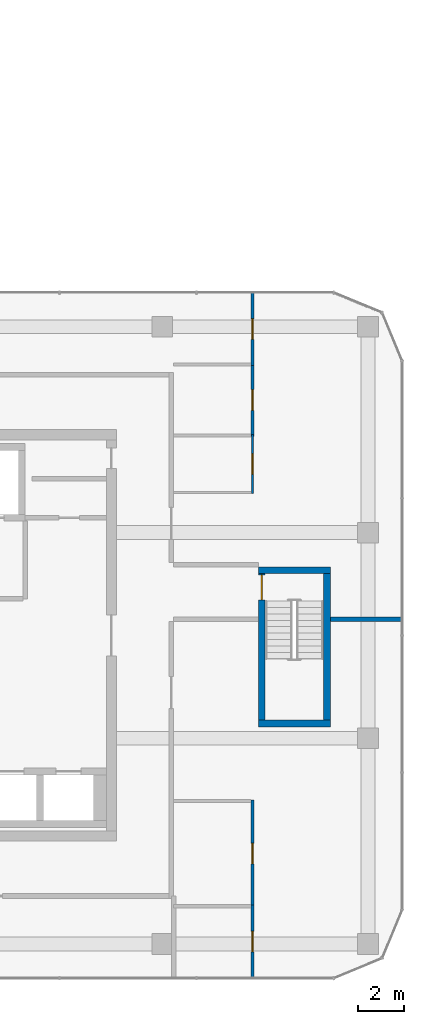
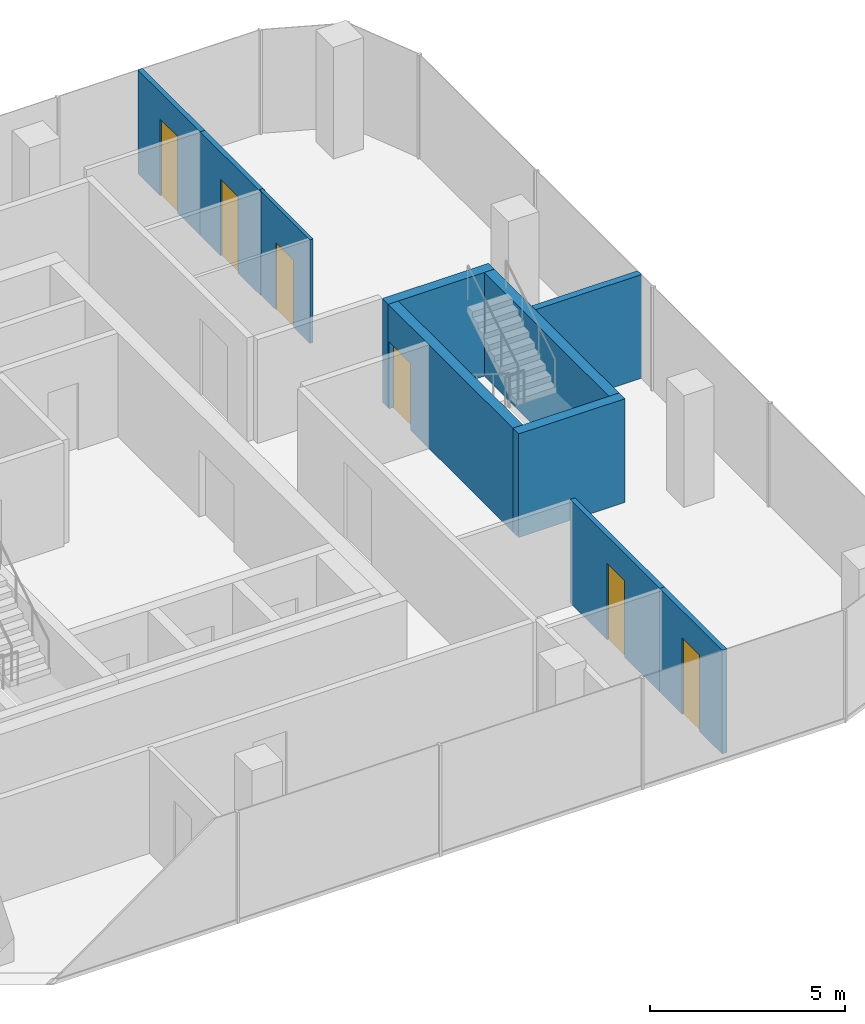
# One storey, part 19 of 23: 10 walls, 6 doors, 6 openings.
"""IFC4 building model written with IfcOpenShell, lengths in metres."""

from ifc_helpers import new_model, si_unit, direction, frame, frame_2d, origin, place, context, subcontext, project, spatial, rectangle, extrude, material, layer, layer_set, type_object, element, fill, save


model = new_model("IFC4")

# Units and contexts
model_context = context("Model", 3, precision=1e-05, world=origin(), true_north=direction((0.0, 1.0)))
body_context = subcontext(model_context, "Body", "Model", "MODEL_VIEW")
ifc_project = project(units=[si_unit("LENGTHUNIT", "METRE"), si_unit("AREAUNIT", "SQUARE_METRE"), si_unit("VOLUMEUNIT", "CUBIC_METRE"), si_unit("PLANEANGLEUNIT", "RADIAN"), si_unit("MASSUNIT", "GRAM", prefix="KILO")], contexts=[model_context])

# Site, building, storey
site_placement = place(None, origin())
site = spatial("IfcSite", under=ifc_project, at=site_placement, CompositionType="ELEMENT")
building_placement = place(site_placement, origin())
building = spatial("IfcBuilding", under=site, at=building_placement, Name="Plateau Cross Towers", CompositionType="ELEMENT")
storey_placement = place(building_placement, frame((0.0, 0.0, 88.800048828125)))
storey = spatial("IfcBuildingStorey", under=building, at=storey_placement, Name="L22", CompositionType="ELEMENT", Elevation=88.800048828125)

# Wall, opening, door
ifc_material_1 = material(Name="Concrete C60/75", Category="concrete")
ifc_layer_1 = layer(ifc_material_1, 0.300048828125)
ifc_layer_set_1 = layer_set([ifc_layer_1], Name="Concrete C60/75")
wall_type_1 = type_object("IfcWallType", Name="Core shaft wall 300", PredefinedType="SHEAR", material=ifc_layer_set_1)
wall_1_placement = place(storey_placement, frame((95.85009765625, 5.300048828125, 0.0), z_axis=(0.0, 0.0, 1.0), x_axis=(0.0, 1.0, 0.0)))
wall_1 = element("IfcWall", 1, at=wall_1_placement, inside=storey, type_object=wall_type_1, Name="B-sb3-W@L22", PredefinedType="SHEAR", context=body_context, shape_type="SweptSolid", body=[
    extrude(rectangle(XDim=6.39990234375, YDim=0.300048828125, at=frame_2d((3.199951171875, 0.0))), origin(), (0.0, 0.0, 1.0), 3.25),
])
opening_1_placement = place(wall_1_placement, frame((5.25, 0.0, 0.0)))
opening_1 = element("IfcOpeningElement", 2, at=opening_1_placement, cuts=wall_1, Name="Opening SD", PredefinedType="OPENING", context=body_context, shape_type="SweptSolid", body=[
    extrude(rectangle(XDim=1.10009765625, YDim=2.10009765625, at=frame_2d((0.550048828125, 1.050048828125))), frame((0.0, 0.159912109375, 0.0), z_axis=(0.0, -1.0, 0.0), x_axis=(1.0, 0.0, 0.0)), (0.0, 0.0, 1.0), 0.320068359375),
])
ifc_material_2 = material(Name="Steel, fire-resisting leaf", Category="steel")
door_type_1 = type_object("IfcDoorType", Name="Stair door 1100", OperationType="NOTDEFINED", PredefinedType="DOOR", material=ifc_material_2)
door_1_placement = place(opening_1_placement, origin())
door_1 = element("IfcDoor", 3, at=door_1_placement, inside=storey, type_object=door_type_1, Name="Stair door SD", OperationType="SINGLE_SWING_LEFT", OverallHeight=2.10009765625, OverallWidth=1.10009765625, PredefinedType="DOOR", context=body_context, shape_type="SweptSolid", body=[
    extrude(rectangle(XDim=1.10009765625, YDim=2.10009765625, at=frame_2d((0.550048828125, 1.050048828125))), frame((0.0, 0.02490234375, 0.0), z_axis=(0.0, -1.0, 0.0), x_axis=(1.0, 0.0, 0.0)), (0.0, 0.0, 1.0), 0.050048828125),
])
fill(opening_1, door_1)

# Walls
wall_2_placement = place(storey_placement, frame((98.699951171875, 5.300048828125, 0.0), z_axis=(0.0, 0.0, 1.0), x_axis=(0.0, 1.0, 0.0)))
element("IfcWall", 4, at=wall_2_placement, inside=storey, type_object=wall_type_1, Name="B-sb3-E@L22", PredefinedType="SHEAR", context=body_context, shape_type="SweptSolid", body=[
    extrude(rectangle(XDim=6.39990234375, YDim=0.300048828125, at=frame_2d((3.199951171875, 0.0))), origin(), (0.0, 0.0, 1.0), 3.25),
])
for number, where, z_axis, x_axis, name in (
    (5, (95.699951171875, 5.14990234375, 0.0), (0.0, 0.0, 1.0), (1.0, 0.0, 0.0), "B-sb3-S@L22"),
    (6, (95.699951171875, 11.85009765625, 0.0), (0.0, 0.0, 1.0), (1.0, 0.0, 0.0), "B-sb3-N@L22"),
):
    element("IfcWall", number, at=place(storey_placement, frame(where, z_axis=z_axis, x_axis=x_axis)), inside=storey, type_object=wall_type_1, Name=name, PredefinedType="SHEAR", context=body_context, shape_type="SweptSolid", body=[
        extrude(rectangle(XDim=3.150146484375, YDim=0.300048828125, at=frame_2d((1.5751953125, 0.0))), origin(), (0.0, 0.0, 1.0), 3.25),
    ])

# Wall, opening, door
ifc_material_3 = material(Name="Gypsum board on staggered steel studs, mineral wool, two layers each side", Category="steel")
ifc_layer_2 = layer(ifc_material_3, 0.139892578125)
ifc_layer_set_2 = layer_set([ifc_layer_2], Name="Gypsum board on staggered steel studs, mineral wool, two layers each side")
wall_type_2 = type_object("IfcWallType", Name="Meeting room acoustic partition 140", PredefinedType="PARTITIONING", material=ifc_layer_set_2)
wall_3_placement = place(storey_placement, frame((95.449951171875, -6.0, 0.0), z_axis=(0.0, 0.0, 1.0), x_axis=(0.0, 1.0, 0.0)))
wall_3 = element("IfcWall", 7, at=wall_3_placement, inside=storey, type_object=wall_type_2, Name="Acoustic wall", PredefinedType="PARTITIONING", context=body_context, shape_type="SweptSolid", body=[
    extrude(rectangle(XDim=3.199951171875, YDim=0.139892578125, at=frame_2d((1.60009765625, 0.0))), origin(), (0.0, 0.0, 1.0), 3.25),
])
opening_2_placement = place(wall_3_placement, frame((1.14990234375, 0.0, 0.0)))
opening_2 = element("IfcOpeningElement", 8, at=opening_2_placement, cuts=wall_3, Name="Opening D-BM9", PredefinedType="OPENING", context=body_context, shape_type="SweptSolid", body=[
    extrude(rectangle(XDim=0.89990234375, YDim=2.39990234375, at=frame_2d((0.449951171875, 1.199951171875))), frame((0.0, 0.079833984375, 0.0), z_axis=(0.0, -1.0, 0.0), x_axis=(1.0, 0.0, 0.0)), (0.0, 0.0, 1.0), 0.159912109375),
])
ifc_material_4 = material(Name="Timber leaf, full height", Category="wood")
door_type_2 = type_object("IfcDoorType", Name="Meeting room door 900x2400", OperationType="NOTDEFINED", PredefinedType="DOOR", material=ifc_material_4)
door_2_placement = place(opening_2_placement, origin())
door_2 = element("IfcDoor", 9, at=door_2_placement, inside=storey, type_object=door_type_2, Name="Door D-BM9", OperationType="SINGLE_SWING_LEFT", OverallHeight=2.39990234375, OverallWidth=0.89990234375, PredefinedType="DOOR", context=body_context, shape_type="SweptSolid", body=[
    extrude(rectangle(XDim=0.89990234375, YDim=2.39990234375, at=frame_2d((0.449951171875, 1.199951171875))), frame((0.0, 0.02490234375, 0.0), z_axis=(0.0, -1.0, 0.0), x_axis=(1.0, 0.0, 0.0)), (0.0, 0.0, 1.0), 0.050048828125),
])
fill(opening_2, door_2)

wall_4_placement = place(storey_placement, frame((95.449951171875, -2.89990234375, 0.0), z_axis=(0.0, 0.0, 1.0), x_axis=(0.0, 1.0, 0.0)))
wall_4 = element("IfcWall", 10, at=wall_4_placement, inside=storey, type_object=wall_type_2, Name="Acoustic wall", PredefinedType="PARTITIONING", context=body_context, shape_type="SweptSolid", body=[
    extrude(rectangle(XDim=4.699951171875, YDim=0.139892578125, at=frame_2d((2.35009765625, 0.0))), origin(), (0.0, 0.0, 1.0), 3.25),
])
opening_3_placement = place(wall_4_placement, frame((1.89990234375, 0.0, 0.0)))
opening_3 = element("IfcOpeningElement", 11, at=opening_3_placement, cuts=wall_4, Name="Opening D-BM9", PredefinedType="OPENING", context=body_context, shape_type="SweptSolid", body=[
    extrude(rectangle(XDim=0.89990234375, YDim=2.39990234375, at=frame_2d((0.449951171875, 1.199951171875))), frame((0.0, 0.079833984375, 0.0), z_axis=(0.0, -1.0, 0.0), x_axis=(1.0, 0.0, 0.0)), (0.0, 0.0, 1.0), 0.159912109375),
])
door_3_placement = place(opening_3_placement, origin())
door_3 = element("IfcDoor", 12, at=door_3_placement, inside=storey, type_object=door_type_2, Name="Door D-BM9", OperationType="SINGLE_SWING_LEFT", OverallHeight=2.39990234375, OverallWidth=0.89990234375, PredefinedType="DOOR", context=body_context, shape_type="SweptSolid", body=[
    extrude(rectangle(XDim=0.89990234375, YDim=2.39990234375, at=frame_2d((0.449951171875, 1.199951171875))), frame((0.0, 0.02490234375, 0.0), z_axis=(0.0, -1.0, 0.0), x_axis=(1.0, 0.0, 0.0)), (0.0, 0.0, 1.0), 0.050048828125),
])
fill(opening_3, door_3)

wall_5_placement = place(storey_placement, frame((95.449951171875, 20.800048828125, 0.0), z_axis=(0.0, 0.0, 1.0), x_axis=(0.0, 1.0, 0.0)))
wall_5 = element("IfcWall", 13, at=wall_5_placement, inside=storey, type_object=wall_type_2, Name="Acoustic wall", PredefinedType="PARTITIONING", context=body_context, shape_type="SweptSolid", body=[
    extrude(rectangle(XDim=3.199951171875, YDim=0.139892578125, at=frame_2d((1.60009765625, 0.0))), origin(), (0.0, 0.0, 1.0), 3.25),
])
opening_4_placement = place(wall_5_placement, frame((1.14990234375, 0.0, 0.0)))
opening_4 = element("IfcOpeningElement", 14, at=opening_4_placement, cuts=wall_5, Name="Opening D-BM9", PredefinedType="OPENING", context=body_context, shape_type="SweptSolid", body=[
    extrude(rectangle(XDim=0.89990234375, YDim=2.39990234375, at=frame_2d((0.449951171875, 1.199951171875))), frame((0.0, 0.079833984375, 0.0), z_axis=(0.0, -1.0, 0.0), x_axis=(1.0, 0.0, 0.0)), (0.0, 0.0, 1.0), 0.159912109375),
])
door_4_placement = place(opening_4_placement, origin())
door_4 = element("IfcDoor", 15, at=door_4_placement, inside=storey, type_object=door_type_2, Name="Door D-BM9", OperationType="SINGLE_SWING_LEFT", OverallHeight=2.39990234375, OverallWidth=0.89990234375, PredefinedType="DOOR", context=body_context, shape_type="SweptSolid", body=[
    extrude(rectangle(XDim=0.89990234375, YDim=2.39990234375, at=frame_2d((0.449951171875, 1.199951171875))), frame((0.0, 0.02490234375, 0.0), z_axis=(0.0, -1.0, 0.0), x_axis=(1.0, 0.0, 0.0)), (0.0, 0.0, 1.0), 0.050048828125),
])
fill(opening_4, door_4)

wall_6_placement = place(storey_placement, frame((95.449951171875, 17.699951171875, 0.0), z_axis=(0.0, 0.0, 1.0), x_axis=(0.0, 1.0, 0.0)))
wall_6 = element("IfcWall", 16, at=wall_6_placement, inside=storey, type_object=wall_type_2, Name="Acoustic wall", PredefinedType="PARTITIONING", context=body_context, shape_type="SweptSolid", body=[
    extrude(rectangle(XDim=3.199951171875, YDim=0.139892578125, at=frame_2d((1.60009765625, 0.0))), origin(), (0.0, 0.0, 1.0), 3.25),
])
opening_5_placement = place(wall_6_placement, frame((1.14990234375, 0.0, 0.0)))
opening_5 = element("IfcOpeningElement", 17, at=opening_5_placement, cuts=wall_6, Name="Opening D-BM9", PredefinedType="OPENING", context=body_context, shape_type="SweptSolid", body=[
    extrude(rectangle(XDim=0.89990234375, YDim=2.39990234375, at=frame_2d((0.449951171875, 1.199951171875))), frame((0.0, 0.079833984375, 0.0), z_axis=(0.0, -1.0, 0.0), x_axis=(1.0, 0.0, 0.0)), (0.0, 0.0, 1.0), 0.159912109375),
])
door_5_placement = place(opening_5_placement, origin())
door_5 = element("IfcDoor", 18, at=door_5_placement, inside=storey, type_object=door_type_2, Name="Door D-BM9", OperationType="SINGLE_SWING_LEFT", OverallHeight=2.39990234375, OverallWidth=0.89990234375, PredefinedType="DOOR", context=body_context, shape_type="SweptSolid", body=[
    extrude(rectangle(XDim=0.89990234375, YDim=2.39990234375, at=frame_2d((0.449951171875, 1.199951171875))), frame((0.0, 0.02490234375, 0.0), z_axis=(0.0, -1.0, 0.0), x_axis=(1.0, 0.0, 0.0)), (0.0, 0.0, 1.0), 0.050048828125),
])
fill(opening_5, door_5)

ifc_material_5 = material(Name="Gypsum board on steel studs", Category="steel")
ifc_layer_3 = layer(ifc_material_5, 0.10009765625)
ifc_layer_set_3 = layer_set([ifc_layer_3], Name="Gypsum board on steel studs")
wall_type_3 = type_object("IfcWallType", Name="Office partition 100", PredefinedType="PARTITIONING", material=ifc_layer_set_3)
wall_7_placement = place(storey_placement, frame((95.449951171875, 15.199951171875, 0.0), z_axis=(0.0, 0.0, 1.0), x_axis=(0.0, 1.0, 0.0)))
wall_7 = element("IfcWall", 19, at=wall_7_placement, inside=storey, type_object=wall_type_3, Name="Part wall", PredefinedType="PARTITIONING", context=body_context, shape_type="SweptSolid", body=[
    extrude(rectangle(XDim=2.60009765625, YDim=0.10009765625, at=frame_2d((1.300048828125, 0.0))), origin(), (0.0, 0.0, 1.0), 3.25),
])
opening_6_placement = place(wall_7_placement, frame((0.85009765625, 0.0, 0.0)))
opening_6 = element("IfcOpeningElement", 20, at=opening_6_placement, cuts=wall_7, Name="Opening D-BR9", PredefinedType="OPENING", context=body_context, shape_type="SweptSolid", body=[
    extrude(rectangle(XDim=0.89990234375, YDim=2.10009765625, at=frame_2d((0.449951171875, 1.050048828125))), frame((0.0, 0.06005859375, 0.0), z_axis=(0.0, -1.0, 0.0), x_axis=(1.0, 0.0, 0.0)), (0.0, 0.0, 1.0), 0.1201171875),
])
ifc_material_6 = material(Name="Timber leaf", Category="wood")
door_type_3 = type_object("IfcDoorType", Name="Office room door 900", OperationType="NOTDEFINED", PredefinedType="DOOR", material=ifc_material_6)
door_6_placement = place(opening_6_placement, origin())
door_6 = element("IfcDoor", 21, at=door_6_placement, inside=storey, type_object=door_type_3, Name="Door D-BR9", OperationType="SINGLE_SWING_LEFT", OverallHeight=2.10009765625, OverallWidth=0.89990234375, PredefinedType="DOOR", context=body_context, shape_type="SweptSolid", body=[
    extrude(rectangle(XDim=0.89990234375, YDim=2.10009765625, at=frame_2d((0.449951171875, 1.050048828125))), frame((0.0, 0.02490234375, 0.0), z_axis=(0.0, -1.0, 0.0), x_axis=(1.0, 0.0, 0.0)), (0.0, 0.0, 1.0), 0.050048828125),
])
fill(opening_6, door_6)

# Wall
ifc_material_7 = material(Name="Gypsum board on steel studs, two layers each side", Category="steel")
ifc_layer_4 = layer(ifc_material_7, 0.199951171875)
ifc_layer_set_4 = layer_set([ifc_layer_4], Name="Gypsum board on steel studs, two layers each side")
wall_type_4 = type_object("IfcWallType", Name="Tenancy demising wall 200", PredefinedType="PARTITIONING", material=ifc_layer_set_4)
wall_8_placement = place(storey_placement, frame((98.85009765625, 9.699951171875, 0.0), z_axis=(0.0, 0.0, 1.0), x_axis=(1.0, 0.0, 0.0)))
element("IfcWall", 22, at=wall_8_placement, inside=storey, type_object=wall_type_4, Name="Demising wall", PredefinedType="PARTITIONING", context=body_context, shape_type="SweptSolid", body=[
    extrude(rectangle(XDim=3.14990234375, YDim=0.199951171875, at=frame_2d((1.574951171875, 0.0))), origin(), (0.0, 0.0, 1.0), 3.25),
])

save(model, "model.ifc")
